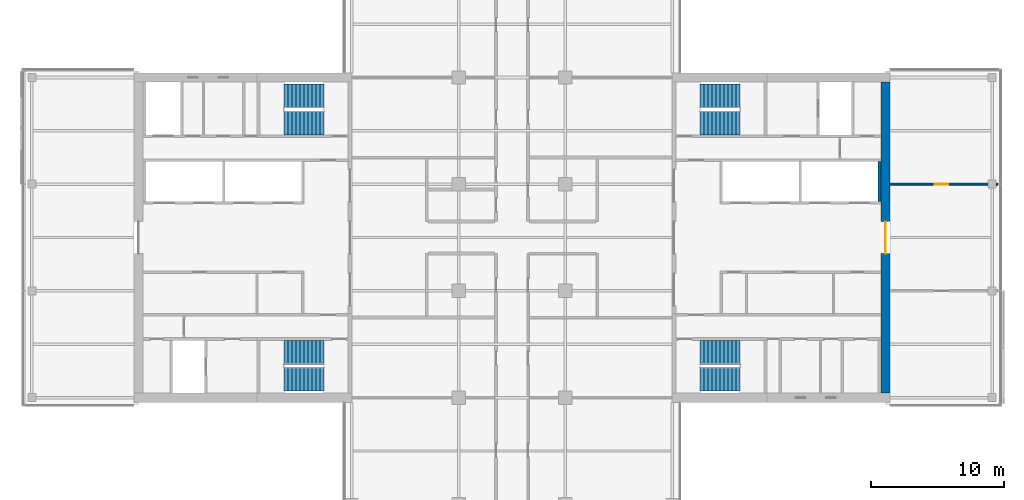
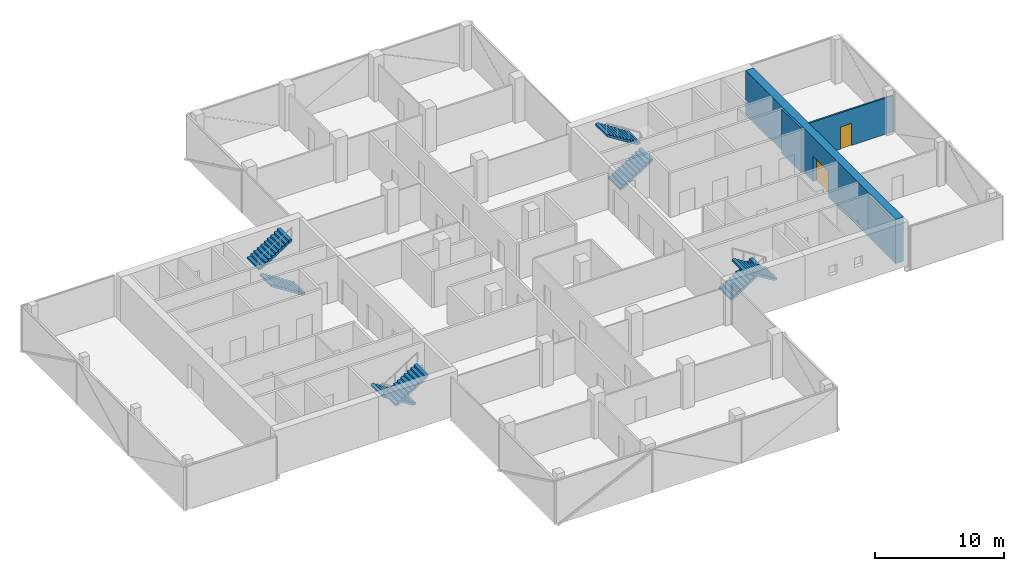
# One storey, part 17 of 22: 8 stair flights, 3 walls, 2 doors, 2 openings, 4 elements without a shape of their own.
"""IFC4 building model written with IfcOpenShell, lengths in metres."""

from ifc_helpers import new_model, si_unit, direction, frame, frame_2d, origin, place, context, subcontext, project, spatial, polyline, rectangle, outline, extrude, material, layer, layer_set, type_object, element, fill, aggregate, save


model = new_model("IFC4")

# Units and contexts
model_context = context("Model", 3, precision=1e-05, world=origin(), true_north=direction((0.0, 1.0)))
body_context = subcontext(model_context, "Body", "Model", "MODEL_VIEW")
ifc_project = project(units=[si_unit("LENGTHUNIT", "METRE"), si_unit("AREAUNIT", "SQUARE_METRE"), si_unit("VOLUMEUNIT", "CUBIC_METRE"), si_unit("PLANEANGLEUNIT", "RADIAN"), si_unit("MASSUNIT", "GRAM", prefix="KILO")], contexts=[model_context])

# Site, building, storey
site_placement = place(None, origin())
site = spatial("IfcSite", under=ifc_project, at=site_placement, CompositionType="ELEMENT")
building_placement = place(site_placement, origin())
building = spatial("IfcBuilding", under=site, at=building_placement, Name="Crosswind Convention Tower", CompositionType="ELEMENT")
storey_placement = place(building_placement, frame((0.0, 0.0, 137.89990234375)))
storey = spatial("IfcBuildingStorey", under=building, at=storey_placement, Name="L28", CompositionType="ELEMENT", Elevation=137.89990234375)

# Wall, opening, door
ifc_material_1 = material(Name="Concrete C60/75", Category="concrete")
ifc_layer_1 = layer(ifc_material_1, 0.699951171875)
ifc_layer_set_1 = layer_set([ifc_layer_1], Name="Concrete C60/75")
wall_type_1 = type_object("IfcWallType", Name="Concrete core wall 700", PredefinedType="SHEAR", material=ifc_layer_set_1)
wall_1_placement = place(storey_placement, frame((153.0, 88.35009765625, 0.0), z_axis=(0.0, 0.0, 1.0), x_axis=(0.0, 1.0, 0.0)))
wall_1 = element("IfcWall", 1, at=wall_1_placement, inside=storey, type_object=wall_type_1, Name="Wall O E L28", PredefinedType="SHEAR", context=body_context, shape_type="SweptSolid", body=[
    extrude(rectangle(XDim=23.2998046875, YDim=0.699951171875, at=frame_2d((11.64990234375, 0.0))), origin(), (0.0, 0.0, 1.0), 4.2001953125),
])
opening_1_placement = place(wall_1_placement, frame((10.449951171875, 0.0, 0.0)))
opening_1 = element("IfcOpeningElement", 2, at=opening_1_placement, cuts=wall_1, Name="Opening D100", PredefinedType="OPENING", context=body_context, shape_type="SweptSolid", body=[
    extrude(rectangle(XDim=2.39990234375, YDim=2.39990234375, at=frame_2d((1.199951171875, 1.199951171875))), frame((0.0, 0.35986328125, 0.0), z_axis=(0.0, -1.0, 0.0), x_axis=(1.0, 0.0, 0.0)), (0.0, 0.0, 1.0), 0.719970703125),
])
ifc_material_2 = material(Name="Steel fire door with glazed vision panels", Category="steel")
door_type_1 = type_object("IfcDoorType", Name="Fire-rated double door 2400x2400", OperationType="DOUBLE_DOOR_SINGLE_SWING", PredefinedType="DOOR", material=ifc_material_2)
door_1_placement = place(opening_1_placement, origin())
door_1 = element("IfcDoor", 3, at=door_1_placement, inside=storey, type_object=door_type_1, Name="Lobby outer door L28", ObjectType="D100", OperationType="DOUBLE_DOOR_SINGLE_SWING", OverallHeight=2.39990234375, OverallWidth=2.39990234375, PredefinedType="DOOR", context=body_context, shape_type="SweptSolid", body=[
    extrude(rectangle(XDim=2.39990234375, YDim=2.39990234375, at=frame_2d((1.199951171875, 1.199951171875))), frame((0.0, 0.02490234375, 0.0), z_axis=(0.0, -1.0, 0.0), x_axis=(1.0, 0.0, 0.0)), (0.0, 0.0, 1.0), 0.050048828125),
])
fill(opening_1, door_1)

# Wall
ifc_material_3 = material(Name="Concrete C50/60", Category="concrete")
ifc_layer_2 = layer(ifc_material_3, 0.199951171875)
ifc_layer_set_2 = layer_set([ifc_layer_2], Name="Concrete C50/60")
wall_type_2 = type_object("IfcWallType", Name="Concrete shaft and stair wall 200", PredefinedType="SHEAR", material=ifc_layer_set_2)
wall_2_placement = place(storey_placement, frame((152.550048828125, 102.699951171875, 0.0), z_axis=(0.0, 0.0, 1.0), x_axis=(0.0, 1.0, 0.0)))
element("IfcWall", 4, at=wall_2_placement, inside=storey, type_object=wall_type_2, Name="Wall RPEAST E L28", PredefinedType="SHEAR", context=body_context, shape_type="SweptSolid", body=[
    extrude(rectangle(XDim=3.0, YDim=0.199951171875, at=frame_2d((1.5, 0.0))), origin(), (0.0, 0.0, 1.0), 4.2001953125),
])

# Wall, opening, door
ifc_material_4 = material(Name="Fire-board partition with mineral wool", Category="gypsum")
ifc_layer_3 = layer(ifc_material_4, 0.14990234375)
ifc_layer_set_3 = layer_set([ifc_layer_3], Name="TENANCY WALL 150 TWO-HOUR BOARD")
wall_type_3 = type_object("IfcWallType", Name="TENANCY WALL 150 TWO-HOUR BOARD", PredefinedType="PARTITIONING", material=ifc_layer_set_3)
wall_3_placement = place(storey_placement, frame((153.35009765625, 104.0, 0.0), z_axis=(0.0, 0.0, 1.0), x_axis=(1.0, 0.0, 0.0)))
wall_3 = element("IfcWall", 5, at=wall_3_placement, inside=storey, type_object=wall_type_3, Name="Tenancy wall WT41", PredefinedType="PARTITIONING", context=body_context, shape_type="SweptSolid", body=[
    extrude(rectangle(XDim=8.06982421875, YDim=0.14990234375, at=frame_2d((4.034912109375, 0.0))), origin(), (0.0, 0.0, 1.0), 3.4365234375),
])
opening_2_placement = place(wall_3_placement, frame((3.35009765625, 0.0, 0.0)))
opening_2 = element("IfcOpeningElement", 6, at=opening_2_placement, cuts=wall_3, Name="Opening L28-68", PredefinedType="OPENING", context=body_context, shape_type="SweptSolid", body=[
    extrude(rectangle(XDim=1.0, YDim=2.10009765625, at=frame_2d((0.5, 1.050048828125))), frame((0.0, 0.0849609375, 0.0), z_axis=(0.0, -1.0, 0.0), x_axis=(1.0, 0.0, 0.0)), (0.0, 0.0, 1.0), 0.169921875),
])
ifc_material_5 = material(Name="Timber fire door", Category="wood")
door_type_2 = type_object("IfcDoorType", Name="TENANCY ENTRANCE DOOR 1000X2100 FD30S", OperationType="NOTDEFINED", PredefinedType="DOOR", material=ifc_material_5)
door_2_placement = place(opening_2_placement, origin())
door_2 = element("IfcDoor", 7, at=door_2_placement, inside=storey, type_object=door_type_2, Name="Door L28-68", ObjectType="D41", OperationType="SINGLE_SWING_RIGHT", OverallHeight=2.10009765625, OverallWidth=1.0, PredefinedType="DOOR", context=body_context, shape_type="SweptSolid", body=[
    extrude(rectangle(XDim=1.0, YDim=2.10009765625, at=frame_2d((0.5, 1.050048828125))), frame((0.0, 0.02490234375, 0.0), z_axis=(0.0, -1.0, 0.0), x_axis=(1.0, 0.0, 0.0)), (0.0, 0.0, 1.0), 0.050048828125),
])
fill(opening_2, door_2)

# Stair, stair flights
ifc_material_6 = material(Name="Concrete C40/50", Category="concrete")
stair_type = type_object("IfcStairType", Name="Exit stair 1800 wide, 2 flights of 11 risers", PredefinedType="HALF_TURN_STAIR", material=ifc_material_6)
stair_1_placement = place(storey_placement, origin())
stair_1 = element("IfcStair", 8, at=stair_1_placement, inside=storey, type_object=stair_type, Name="Exit stair ST1 L28", ObjectType="ST5", PredefinedType="HALF_TURN_STAIR")
stair_flight_type = type_object("IfcStairFlightType", Name="Stair flight 1800 wide, 11 risers (SF4)", PredefinedType="STRAIGHT", material=ifc_material_6)
stair_flight_1_placement = place(storey_placement, frame((139.10009765625, 108.60009765625, 0.0), z_axis=(0.0, 0.0, 1.0), x_axis=(1.0, 0.0, 0.0)))
stair_flight_1 = element("IfcStairFlight", 9, at=stair_flight_1_placement, type_object=stair_flight_type, Name="ST1 flight 1", NumberOfRisers=11, NumberOfTreads=10, PredefinedType="STRAIGHT", RiserHeight=0.190909091, TreadLength=0.3, context=body_context, shape_type="SweptSolid", body=[
    extrude(outline(polyline([(0.0, 0.0), (0.0, 0.19091796875), (0.300048828125, 0.19091796875), (0.300048828125, 0.3818359375), (0.60009765625, 0.3818359375), (0.60009765625, 0.57275390625), (0.89990234375, 0.57275390625), (0.89990234375, 0.763671875), (1.199951171875, 0.763671875), (1.199951171875, 0.95458984375), (1.5, 0.95458984375), (1.5, 1.1455078125), (1.800048828125, 1.1455078125), (1.800048828125, 1.33642578125), (2.10009765625, 1.33642578125), (2.10009765625, 1.52734375), (2.39990234375, 1.52734375), (2.39990234375, 1.71826171875), (2.699951171875, 1.71826171875), (2.699951171875, 1.9091796875), (3.0, 1.9091796875), (3.0, 2.10009765625), (3.0, 1.7314453125), (0.279296875, 0.0), (0.0, 0.0)])), frame((0.0, 0.89990234375, 0.0), z_axis=(0.0, -1.0, 0.0), x_axis=(1.0, 0.0, 0.0)), (0.0, 0.0, 1.0), 1.800048828125),
])
stair_flight_2_placement = place(storey_placement, frame((142.10009765625, 110.60009765625, 2.10009765625), z_axis=(0.0, 0.0, 1.0), x_axis=(-1.0, 0.0, 0.0)))
stair_flight_2 = element("IfcStairFlight", 10, at=stair_flight_2_placement, type_object=stair_flight_type, Name="ST1 flight 2", NumberOfRisers=11, NumberOfTreads=10, PredefinedType="STRAIGHT", RiserHeight=0.190909091, TreadLength=0.3, context=body_context, shape_type="SweptSolid", body=[
    extrude(outline(polyline([(0.0, 0.0), (0.0, 0.19091796875), (0.300048828125, 0.19091796875), (0.300048828125, 0.3818359375), (0.60009765625, 0.3818359375), (0.60009765625, 0.57275390625), (0.89990234375, 0.57275390625), (0.89990234375, 0.763671875), (1.199951171875, 0.763671875), (1.199951171875, 0.95458984375), (1.5, 0.95458984375), (1.5, 1.1455078125), (1.800048828125, 1.1455078125), (1.800048828125, 1.33642578125), (2.10009765625, 1.33642578125), (2.10009765625, 1.52734375), (2.39990234375, 1.52734375), (2.39990234375, 1.71826171875), (2.699951171875, 1.71826171875), (2.699951171875, 1.9091796875), (3.0, 1.9091796875), (3.0, 2.10009765625), (3.0, 1.7314453125), (0.279296875, 0.0), (0.0, 0.0)])), frame((0.0, 0.89990234375, 0.0), z_axis=(0.0, -1.0, 0.0), x_axis=(1.0, 0.0, 0.0)), (0.0, 0.0, 1.0), 1.800048828125),
])
aggregate(stair_1, [stair_flight_1, stair_flight_2])

stair_2_placement = place(storey_placement, origin())
stair_2 = element("IfcStair", 11, at=stair_2_placement, inside=storey, type_object=stair_type, Name="Exit stair ST2 L28", ObjectType="ST5", PredefinedType="HALF_TURN_STAIR")
stair_flight_3_placement = place(storey_placement, frame((139.10009765625, 91.39990234375, 0.0), z_axis=(0.0, 0.0, 1.0), x_axis=(1.0, 0.0, 0.0)))
stair_flight_3 = element("IfcStairFlight", 12, at=stair_flight_3_placement, type_object=stair_flight_type, Name="ST2 flight 1", NumberOfRisers=11, NumberOfTreads=10, PredefinedType="STRAIGHT", RiserHeight=0.190909091, TreadLength=0.3, context=body_context, shape_type="SweptSolid", body=[
    extrude(outline(polyline([(0.0, 0.0), (0.0, 0.19091796875), (0.300048828125, 0.19091796875), (0.300048828125, 0.3818359375), (0.60009765625, 0.3818359375), (0.60009765625, 0.57275390625), (0.89990234375, 0.57275390625), (0.89990234375, 0.763671875), (1.199951171875, 0.763671875), (1.199951171875, 0.95458984375), (1.5, 0.95458984375), (1.5, 1.1455078125), (1.800048828125, 1.1455078125), (1.800048828125, 1.33642578125), (2.10009765625, 1.33642578125), (2.10009765625, 1.52734375), (2.39990234375, 1.52734375), (2.39990234375, 1.71826171875), (2.699951171875, 1.71826171875), (2.699951171875, 1.9091796875), (3.0, 1.9091796875), (3.0, 2.10009765625), (3.0, 1.7314453125), (0.279296875, 0.0), (0.0, 0.0)])), frame((0.0, 0.89990234375, 0.0), z_axis=(0.0, -1.0, 0.0), x_axis=(1.0, 0.0, 0.0)), (0.0, 0.0, 1.0), 1.800048828125),
])
stair_flight_4_placement = place(storey_placement, frame((142.10009765625, 89.39990234375, 2.10009765625), z_axis=(0.0, 0.0, 1.0), x_axis=(-1.0, 0.0, 0.0)))
stair_flight_4 = element("IfcStairFlight", 13, at=stair_flight_4_placement, type_object=stair_flight_type, Name="ST2 flight 2", NumberOfRisers=11, NumberOfTreads=10, PredefinedType="STRAIGHT", RiserHeight=0.190909091, TreadLength=0.3, context=body_context, shape_type="SweptSolid", body=[
    extrude(outline(polyline([(0.0, 0.0), (0.0, 0.19091796875), (0.300048828125, 0.19091796875), (0.300048828125, 0.3818359375), (0.60009765625, 0.3818359375), (0.60009765625, 0.57275390625), (0.89990234375, 0.57275390625), (0.89990234375, 0.763671875), (1.199951171875, 0.763671875), (1.199951171875, 0.95458984375), (1.5, 0.95458984375), (1.5, 1.1455078125), (1.800048828125, 1.1455078125), (1.800048828125, 1.33642578125), (2.10009765625, 1.33642578125), (2.10009765625, 1.52734375), (2.39990234375, 1.52734375), (2.39990234375, 1.71826171875), (2.699951171875, 1.71826171875), (2.699951171875, 1.9091796875), (3.0, 1.9091796875), (3.0, 2.10009765625), (3.0, 1.7314453125), (0.279296875, 0.0), (0.0, 0.0)])), frame((0.0, 0.89990234375, 0.0), z_axis=(0.0, -1.0, 0.0), x_axis=(1.0, 0.0, 0.0)), (0.0, 0.0, 1.0), 1.800048828125),
])
aggregate(stair_2, [stair_flight_3, stair_flight_4])

stair_3_placement = place(storey_placement, origin())
stair_3 = element("IfcStair", 14, at=stair_3_placement, inside=storey, type_object=stair_type, Name="Exit stair ST3 L28", ObjectType="ST5", PredefinedType="HALF_TURN_STAIR")
stair_flight_5_placement = place(storey_placement, frame((110.89990234375, 91.39990234375, 0.0), z_axis=(0.0, 0.0, 1.0), x_axis=(-1.0, 0.0, 0.0)))
stair_flight_5 = element("IfcStairFlight", 15, at=stair_flight_5_placement, type_object=stair_flight_type, Name="ST3 flight 1", NumberOfRisers=11, NumberOfTreads=10, PredefinedType="STRAIGHT", RiserHeight=0.190909091, TreadLength=0.3, context=body_context, shape_type="SweptSolid", body=[
    extrude(outline(polyline([(0.0, 0.0), (0.0, 0.19091796875), (0.300048828125, 0.19091796875), (0.300048828125, 0.3818359375), (0.60009765625, 0.3818359375), (0.60009765625, 0.57275390625), (0.89990234375, 0.57275390625), (0.89990234375, 0.763671875), (1.199951171875, 0.763671875), (1.199951171875, 0.95458984375), (1.5, 0.95458984375), (1.5, 1.1455078125), (1.800048828125, 1.1455078125), (1.800048828125, 1.33642578125), (2.10009765625, 1.33642578125), (2.10009765625, 1.52734375), (2.39990234375, 1.52734375), (2.39990234375, 1.71826171875), (2.699951171875, 1.71826171875), (2.699951171875, 1.9091796875), (3.0, 1.9091796875), (3.0, 2.10009765625), (3.0, 1.7314453125), (0.279296875, 0.0), (0.0, 0.0)])), frame((0.0, 0.89990234375, 0.0), z_axis=(0.0, -1.0, 0.0), x_axis=(1.0, 0.0, 0.0)), (0.0, 0.0, 1.0), 1.800048828125),
])
stair_flight_6_placement = place(storey_placement, frame((107.89990234375, 89.39990234375, 2.10009765625), z_axis=(0.0, 0.0, 1.0), x_axis=(1.0, 0.0, 0.0)))
stair_flight_6 = element("IfcStairFlight", 16, at=stair_flight_6_placement, type_object=stair_flight_type, Name="ST3 flight 2", NumberOfRisers=11, NumberOfTreads=10, PredefinedType="STRAIGHT", RiserHeight=0.190909091, TreadLength=0.3, context=body_context, shape_type="SweptSolid", body=[
    extrude(outline(polyline([(0.0, 0.0), (0.0, 0.19091796875), (0.300048828125, 0.19091796875), (0.300048828125, 0.3818359375), (0.60009765625, 0.3818359375), (0.60009765625, 0.57275390625), (0.89990234375, 0.57275390625), (0.89990234375, 0.763671875), (1.199951171875, 0.763671875), (1.199951171875, 0.95458984375), (1.5, 0.95458984375), (1.5, 1.1455078125), (1.800048828125, 1.1455078125), (1.800048828125, 1.33642578125), (2.10009765625, 1.33642578125), (2.10009765625, 1.52734375), (2.39990234375, 1.52734375), (2.39990234375, 1.71826171875), (2.699951171875, 1.71826171875), (2.699951171875, 1.9091796875), (3.0, 1.9091796875), (3.0, 2.10009765625), (3.0, 1.7314453125), (0.279296875, 0.0), (0.0, 0.0)])), frame((0.0, 0.89990234375, 0.0), z_axis=(0.0, -1.0, 0.0), x_axis=(1.0, 0.0, 0.0)), (0.0, 0.0, 1.0), 1.800048828125),
])
aggregate(stair_3, [stair_flight_5, stair_flight_6])

stair_4_placement = place(storey_placement, origin())
stair_4 = element("IfcStair", 17, at=stair_4_placement, inside=storey, type_object=stair_type, Name="Exit stair ST4 L28", ObjectType="ST5", PredefinedType="HALF_TURN_STAIR")
stair_flight_7_placement = place(storey_placement, frame((110.89990234375, 108.60009765625, 0.0), z_axis=(0.0, 0.0, 1.0), x_axis=(-1.0, 0.0, 0.0)))
stair_flight_7 = element("IfcStairFlight", 18, at=stair_flight_7_placement, type_object=stair_flight_type, Name="ST4 flight 1", NumberOfRisers=11, NumberOfTreads=10, PredefinedType="STRAIGHT", RiserHeight=0.190909091, TreadLength=0.3, context=body_context, shape_type="SweptSolid", body=[
    extrude(outline(polyline([(0.0, 0.0), (0.0, 0.19091796875), (0.300048828125, 0.19091796875), (0.300048828125, 0.3818359375), (0.60009765625, 0.3818359375), (0.60009765625, 0.57275390625), (0.89990234375, 0.57275390625), (0.89990234375, 0.763671875), (1.199951171875, 0.763671875), (1.199951171875, 0.95458984375), (1.5, 0.95458984375), (1.5, 1.1455078125), (1.800048828125, 1.1455078125), (1.800048828125, 1.33642578125), (2.10009765625, 1.33642578125), (2.10009765625, 1.52734375), (2.39990234375, 1.52734375), (2.39990234375, 1.71826171875), (2.699951171875, 1.71826171875), (2.699951171875, 1.9091796875), (3.0, 1.9091796875), (3.0, 2.10009765625), (3.0, 1.7314453125), (0.279296875, 0.0), (0.0, 0.0)])), frame((0.0, 0.89990234375, 0.0), z_axis=(0.0, -1.0, 0.0), x_axis=(1.0, 0.0, 0.0)), (0.0, 0.0, 1.0), 1.800048828125),
])
stair_flight_8_placement = place(storey_placement, frame((107.89990234375, 110.60009765625, 2.10009765625), z_axis=(0.0, 0.0, 1.0), x_axis=(1.0, 0.0, 0.0)))
stair_flight_8 = element("IfcStairFlight", 19, at=stair_flight_8_placement, type_object=stair_flight_type, Name="ST4 flight 2", NumberOfRisers=11, NumberOfTreads=10, PredefinedType="STRAIGHT", RiserHeight=0.190909091, TreadLength=0.3, context=body_context, shape_type="SweptSolid", body=[
    extrude(outline(polyline([(0.0, 0.0), (0.0, 0.19091796875), (0.300048828125, 0.19091796875), (0.300048828125, 0.3818359375), (0.60009765625, 0.3818359375), (0.60009765625, 0.57275390625), (0.89990234375, 0.57275390625), (0.89990234375, 0.763671875), (1.199951171875, 0.763671875), (1.199951171875, 0.95458984375), (1.5, 0.95458984375), (1.5, 1.1455078125), (1.800048828125, 1.1455078125), (1.800048828125, 1.33642578125), (2.10009765625, 1.33642578125), (2.10009765625, 1.52734375), (2.39990234375, 1.52734375), (2.39990234375, 1.71826171875), (2.699951171875, 1.71826171875), (2.699951171875, 1.9091796875), (3.0, 1.9091796875), (3.0, 2.10009765625), (3.0, 1.7314453125), (0.279296875, 0.0), (0.0, 0.0)])), frame((0.0, 0.89990234375, 0.0), z_axis=(0.0, -1.0, 0.0), x_axis=(1.0, 0.0, 0.0)), (0.0, 0.0, 1.0), 1.800048828125),
])
aggregate(stair_4, [stair_flight_7, stair_flight_8])

save(model, "model.ifc")
